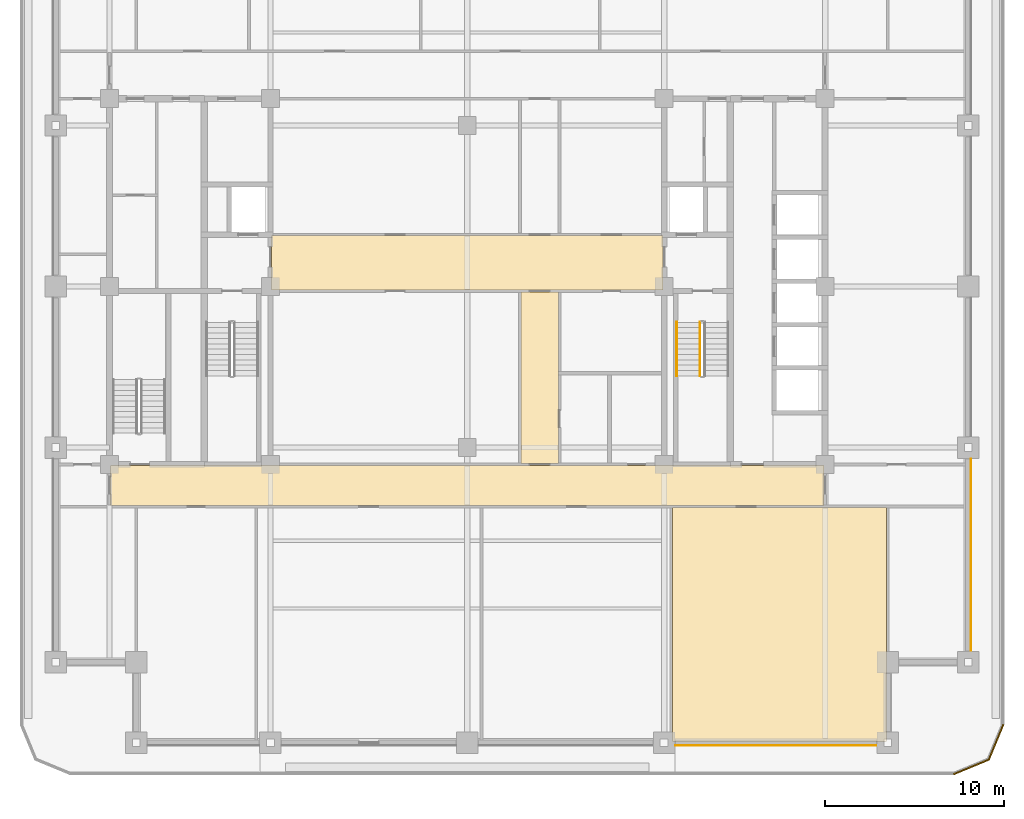
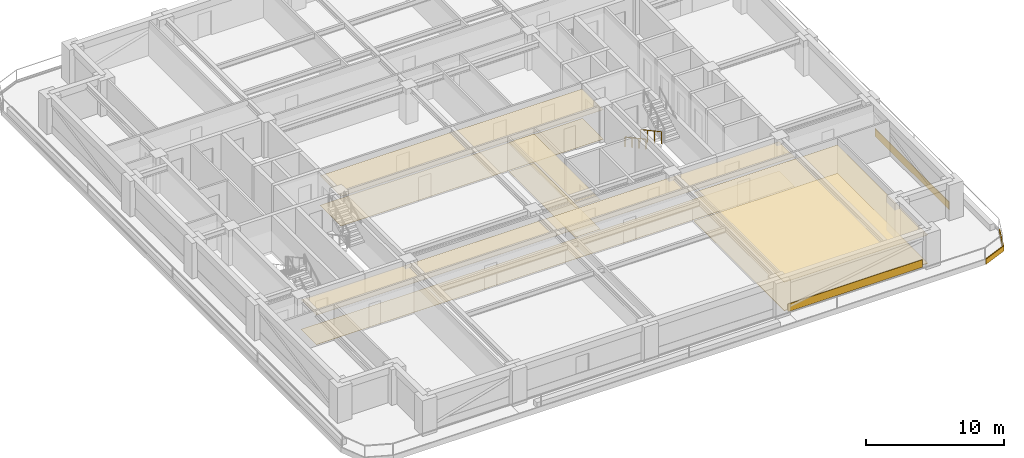
# One storey, part 11 of 13: 12 coverings, 2 railings.
"""IFC4 building model written with IfcOpenShell, lengths in metres."""

from ifc_helpers import new_model, si_unit, direction, frame, frame_2d, origin, origin_2d, place, context, subcontext, project, spatial, polyline, rectangle, outline, extrude, material, layer, layer_set, type_object, element, save


model = new_model("IFC4")

# Units and contexts
model_context = context("Model", 3, precision=1e-05, world=origin(), true_north=direction((0.0, 1.0)))
body_context = subcontext(model_context, "Body", "Model", "MODEL_VIEW")
ifc_project = project(units=[si_unit("LENGTHUNIT", "METRE"), si_unit("AREAUNIT", "SQUARE_METRE"), si_unit("VOLUMEUNIT", "CUBIC_METRE"), si_unit("PLANEANGLEUNIT", "RADIAN"), si_unit("MASSUNIT", "GRAM", prefix="KILO")], contexts=[model_context])

# Site, building, storey
site_placement = place(None, origin())
site = spatial("IfcSite", under=ifc_project, at=site_placement, CompositionType="ELEMENT")
building_placement = place(site_placement, origin())
building = spatial("IfcBuilding", under=site, at=building_placement, Name="Zulmaris Gate Convention Tower", CompositionType="ELEMENT")
storey_placement = place(building_placement, frame((0.0, 0.0, 112.780029296875)))
storey = spatial("IfcBuildingStorey", under=building, at=storey_placement, Name="L28", CompositionType="ELEMENT", Elevation=112.780029296875)

# Coverings
ifc_material_1 = material(Name="Precast concrete C40/50", Category="concrete")
ifc_layer_1 = layer(ifc_material_1, 0.0400390625, Name="Precast concrete C40/50")
ifc_layer_set_1 = layer_set([ifc_layer_1], Name="Precast concrete C40/50")
covering_type_1 = type_object("IfcCoveringType", Name="CLAD-SPANDREL-PRECAST", PredefinedType="CLADDING", material=ifc_layer_set_1)
covering_1_placement = place(storey_placement, frame((11.6298828125, -25.64990234375, 0.0), z_axis=(0.0, 0.0, 1.0), x_axis=(1.0, 0.0, 0.0)))
element("IfcCovering", 1, at=covering_1_placement, inside=storey, type_object=covering_type_1, Name="CLD-L28-S-3_0", PredefinedType="CLADDING", context=body_context, shape_type="SweptSolid", body=[
    extrude(rectangle(XDim=11.240234375, YDim=0.0400390625, at=frame_2d((5.6201171875, 0.0))), origin(), (0.0, 0.0, 1.0), 0.679931640625),
])
covering_2_placement = place(storey_placement, frame((28.14990234375, -20.3701171875, 0.0), z_axis=(0.0, 0.0, 1.0), x_axis=(0.0, 1.0, 0.0)))
element("IfcCovering", 2, at=covering_2_placement, inside=storey, type_object=covering_type_1, Name="CLD-L28-E-0_0", PredefinedType="CLADDING", context=body_context, shape_type="SweptSolid", body=[
    extrude(rectangle(XDim=10.740234375, YDim=0.0400390625, at=frame_2d((5.3701171875, 0.0))), origin(), (0.0, 0.0, 1.0), 0.679931640625),
])
ifc_material_2 = material(Name="White Glazed Architectural Precast Concrete C40/50", Category="concrete")
ifc_layer_2 = layer(ifc_material_2, 0.080078125, Name="White Glazed Architectural Precast Concrete C40/50")
ifc_layer_set_2 = layer_set([ifc_layer_2], Name="White Glazed Architectural Precast Concrete C40/50")
covering_type_2 = type_object("IfcCoveringType", Name="CLAD-TRAY-FASCIA", PredefinedType="CLADDING", material=ifc_layer_set_2)
covering_3_placement = place(storey_placement, frame((27.184814453125, -27.262939453125, -0.2900390625), z_axis=(0.0, 0.0, 1.0), x_axis=(0.923873803533, 0.382697263049, 0.0)))
element("IfcCovering", 3, at=covering_3_placement, inside=storey, type_object=covering_type_2, Name="FSC-L28-TR-03", PredefinedType="CLADDING", context=body_context, shape_type="SweptSolid", body=[
    extrude(rectangle(XDim=2.142822265625, YDim=0.080078125, at=frame_2d((1.0712890625, 0.0))), origin(), (0.0, 0.0, 1.0), 0.4599609375),
])
covering_4_placement = place(storey_placement, frame((29.142822265625, -26.464599609375, -0.2900390625), z_axis=(0.0, 0.0, 1.0), x_axis=(0.382656984709, 0.923890487046, 0.0)))
element("IfcCovering", 4, at=covering_4_placement, inside=storey, type_object=covering_type_2, Name="FSC-L28-TR-04", PredefinedType="CLADDING", context=body_context, shape_type="SweptSolid", body=[
    extrude(rectangle(XDim=2.14306640625, YDim=0.080078125, at=frame_2d((1.071533203125, 0.0))), origin(), (0.0, 0.0, 1.0), 0.4599609375),
])
ifc_material_3 = material(Name="Mineral Fibre Acoustic Ceiling Tile")
ifc_layer_3 = layer(ifc_material_3, 0.02001953125, Name="Mineral Fibre Acoustic Ceiling Tile")
ifc_layer_set_3 = layer_set([ifc_layer_3], Name="Mineral Fibre Acoustic Ceiling Tile")
covering_type_3 = type_object("IfcCoveringType", Name="CLG-ACOUSTIC-600", PredefinedType="CEILING", material=ifc_layer_set_3)
covering_5_placement = place(storey_placement, frame((0.0, 0.0, 2.602783203125)))
element("IfcCovering", 5, at=covering_5_placement, inside=storey, type_object=covering_type_3, Name="CLG-L28-R29", PredefinedType="CEILING", context=body_context, shape_type="SweptSolid", body=[
    extrude(outline(polyline([(-19.93994140625, -12.239990234375), (19.93994140625, -12.239990234375), (19.93994140625, -10.010009765625), (-19.93994140625, -10.010009765625), (-19.93994140625, -12.239990234375)])), origin(), (0.0, 0.0, 1.0), 0.02001953125),
])
covering_6_placement = place(storey_placement, frame((0.0, 0.0, 2.602783203125)))
element("IfcCovering", 6, at=covering_6_placement, inside=storey, type_object=covering_type_3, Name="CLG-L28-R30", PredefinedType="CEILING", context=body_context, shape_type="SweptSolid", body=[
    extrude(outline(polyline([(-10.93994140625, -0.18994140625), (10.93994140625, -0.18994140625), (10.93994140625, 2.840087890625), (-10.93994140625, 2.840087890625), (-10.93994140625, -0.18994140625)])), origin(), (0.0, 0.0, 1.0), 0.02001953125),
])
covering_7_placement = place(storey_placement, frame((0.0, 0.0, 2.602783203125)))
element("IfcCovering", 7, at=covering_7_placement, inside=storey, type_object=covering_type_3, Name="CLG-L28-R32", PredefinedType="CEILING", context=body_context, shape_type="SweptSolid", body=[
    extrude(outline(polyline([(3.010009765625, -9.889892578125), (5.090087890625, -9.889892578125), (5.090087890625, -0.31005859375), (3.010009765625, -0.31005859375), (3.010009765625, -9.889892578125)])), origin(), (0.0, 0.0, 1.0), 0.02001953125),
])
covering_8_placement = place(storey_placement, frame((0.0, 0.0, 2.5048828125)))
element("IfcCovering", 8, at=covering_8_placement, inside=storey, type_object=covering_type_3, Name="CLG-L28-R40", PredefinedType="CEILING", context=body_context, shape_type="SweptSolid", body=[
    extrude(outline(polyline([(11.4599609375, -25.43994140625), (23.43994140625, -25.43994140625), (23.43994140625, -12.360107421875), (11.4599609375, -12.360107421875), (11.4599609375, -25.43994140625)])), origin(), (0.0, 0.0, 1.0), 0.02001953125),
])
ifc_material_4 = material(Name="Woven Acoustic Wool Carpet Tile")
ifc_layer_4 = layer(ifc_material_4, 0.02001953125, Name="Woven Acoustic Wool Carpet Tile")
ifc_layer_set_4 = layer_set([ifc_layer_4], Name="Woven Acoustic Wool Carpet Tile")
covering_type_4 = type_object("IfcCoveringType", Name="FLR-CARPET-12", PredefinedType="FLOORING", material=ifc_layer_set_4)
covering_9_placement = place(storey_placement, origin())
element("IfcCovering", 9, at=covering_9_placement, inside=storey, type_object=covering_type_4, Name="FLR-L28-R29", PredefinedType="FLOORING", context=body_context, shape_type="SweptSolid", body=[
    extrude(outline(polyline([(-19.93994140625, -12.239990234375), (19.93994140625, -12.239990234375), (19.93994140625, -10.010009765625), (-19.93994140625, -10.010009765625), (-19.93994140625, -12.239990234375)])), origin(), (0.0, 0.0, 1.0), 0.02001953125),
])
covering_10_placement = place(storey_placement, origin())
element("IfcCovering", 10, at=covering_10_placement, inside=storey, type_object=covering_type_4, Name="FLR-L28-R30", PredefinedType="FLOORING", context=body_context, shape_type="SweptSolid", body=[
    extrude(outline(polyline([(-10.93994140625, -0.18994140625), (10.93994140625, -0.18994140625), (10.93994140625, 2.840087890625), (-10.93994140625, 2.840087890625), (-10.93994140625, -0.18994140625)])), origin(), (0.0, 0.0, 1.0), 0.02001953125),
])
covering_11_placement = place(storey_placement, origin())
element("IfcCovering", 11, at=covering_11_placement, inside=storey, type_object=covering_type_4, Name="FLR-L28-R32", PredefinedType="FLOORING", context=body_context, shape_type="SweptSolid", body=[
    extrude(outline(polyline([(3.010009765625, -9.889892578125), (5.090087890625, -9.889892578125), (5.090087890625, -0.31005859375), (3.010009765625, -0.31005859375), (3.010009765625, -9.889892578125)])), origin(), (0.0, 0.0, 1.0), 0.02001953125),
])
covering_12_placement = place(storey_placement, origin())
element("IfcCovering", 12, at=covering_12_placement, inside=storey, type_object=covering_type_4, Name="FLR-L28-R40", PredefinedType="FLOORING", context=body_context, shape_type="SweptSolid", body=[
    extrude(outline(polyline([(11.4599609375, -25.43994140625), (23.43994140625, -25.43994140625), (23.43994140625, -12.360107421875), (11.4599609375, -12.360107421875), (11.4599609375, -25.43994140625)])), origin(), (0.0, 0.0, 1.0), 0.02001953125),
])

# Railings
ifc_material_5 = material(Name="Painted Galvanised Steel", Category="steel")
railing_type_1 = type_object("IfcRailingType", Name="RL-STG-1150", PredefinedType="GUARDRAIL", material=ifc_material_5)
railing_1_placement = place(storey_placement, frame((13.010009765625, -2.0, 0.162353515625)))
element("IfcRailing", 13, at=railing_1_placement, inside=storey, type_object=railing_type_1, Name="L28 ST-2 stair guard 1", PredefinedType="GUARDRAIL", context=body_context, shape_type="SweptSolid", body=[
    extrude(rectangle(XDim=0.048095703125, YDim=0.048095703125, at=origin_2d()), frame((0.0, 0.0, 1.076171875), z_axis=(0.0, -0.879591569277, 0.475729619907), x_axis=(1.0, 0.0, 0.0)), (0.0, 0.0, 1.0), 3.41064453125),
    extrude(rectangle(XDim=0.0419921875, YDim=0.0419921875, at=origin_2d()), origin(), (0.0, 0.0, 1.0), 1.052001953125),
    extrude(rectangle(XDim=0.0419921875, YDim=0.0419921875, at=origin_2d()), frame((0.0, -1.0, 0.540771484375)), (0.0, 0.0, 1.0), 1.052001953125),
    extrude(rectangle(XDim=0.0419921875, YDim=0.0419921875, at=origin_2d()), frame((0.0, -2.0, 1.081787109375)), (0.0, 0.0, 1.0), 1.052001953125),
    extrude(rectangle(XDim=0.0419921875, YDim=0.0419921875, at=origin_2d()), frame((0.0, -3.0, 1.62255859375)), (0.0, 0.0, 1.0), 1.052001953125),
])
ifc_material_6 = material(Name="Brushed Stainless Steel", Category="steel")
railing_type_2 = type_object("IfcRailingType", Name="RL-STH-900", PredefinedType="HANDRAIL", material=ifc_material_6)
railing_2_placement = place(storey_placement, frame((11.7099609375, -2.0, 0.162353515625)))
element("IfcRailing", 14, at=railing_2_placement, inside=storey, type_object=railing_type_2, Name="L28 ST-2 stair handrail 1", PredefinedType="HANDRAIL", context=body_context, shape_type="SweptSolid", body=[
    extrude(rectangle(XDim=0.048095703125, YDim=0.048095703125, at=origin_2d()), frame((0.0, 0.0, 0.8759765625), z_axis=(0.0, -0.879591569277, 0.475729619907), x_axis=(1.0, 0.0, 0.0)), (0.0, 0.0, 1.0), 3.41064453125),
    extrude(rectangle(XDim=0.0419921875, YDim=0.0419921875, at=origin_2d()), origin(), (0.0, 0.0, 1.0), 0.851806640625),
    extrude(rectangle(XDim=0.0419921875, YDim=0.0419921875, at=origin_2d()), frame((0.0, -1.0, 0.540771484375)), (0.0, 0.0, 1.0), 0.851806640625),
    extrude(rectangle(XDim=0.0419921875, YDim=0.0419921875, at=origin_2d()), frame((0.0, -2.0, 1.081787109375)), (0.0, 0.0, 1.0), 0.851806640625),
    extrude(rectangle(XDim=0.0419921875, YDim=0.0419921875, at=origin_2d()), frame((0.0, -3.0, 1.62255859375)), (0.0, 0.0, 1.0), 0.851806640625),
])

save(model, "model.ifc")
